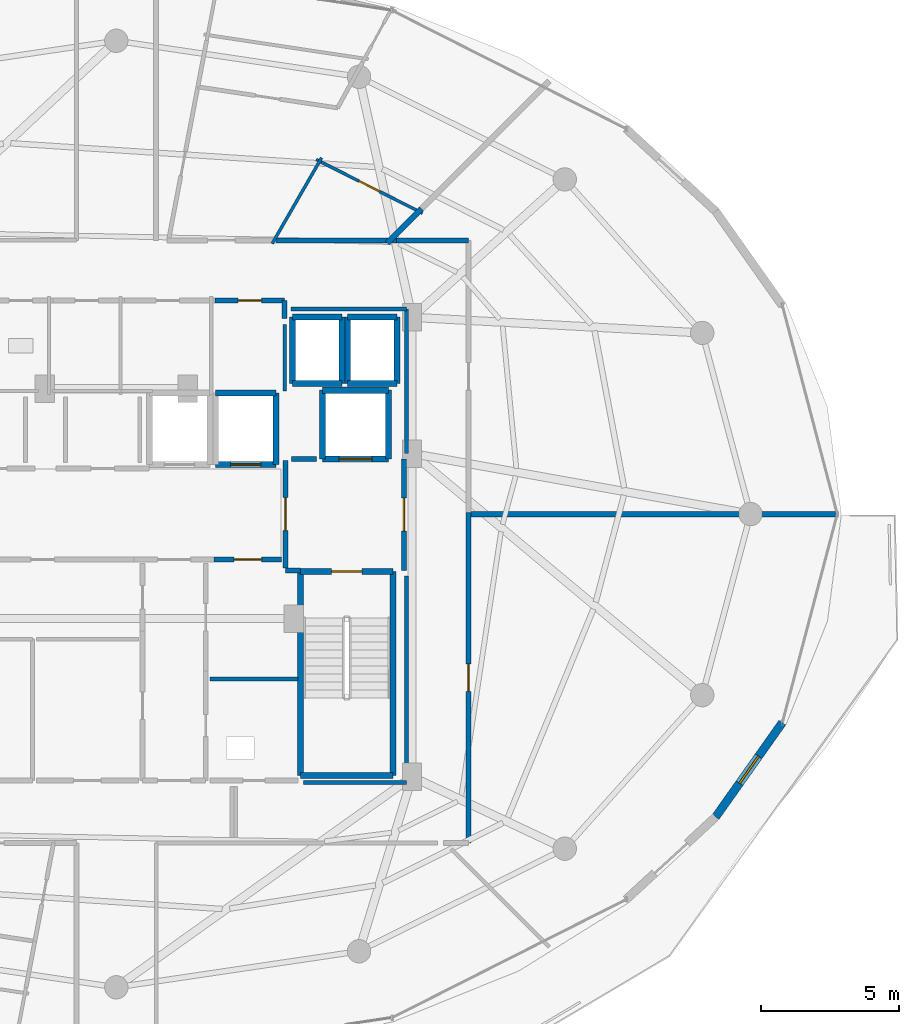
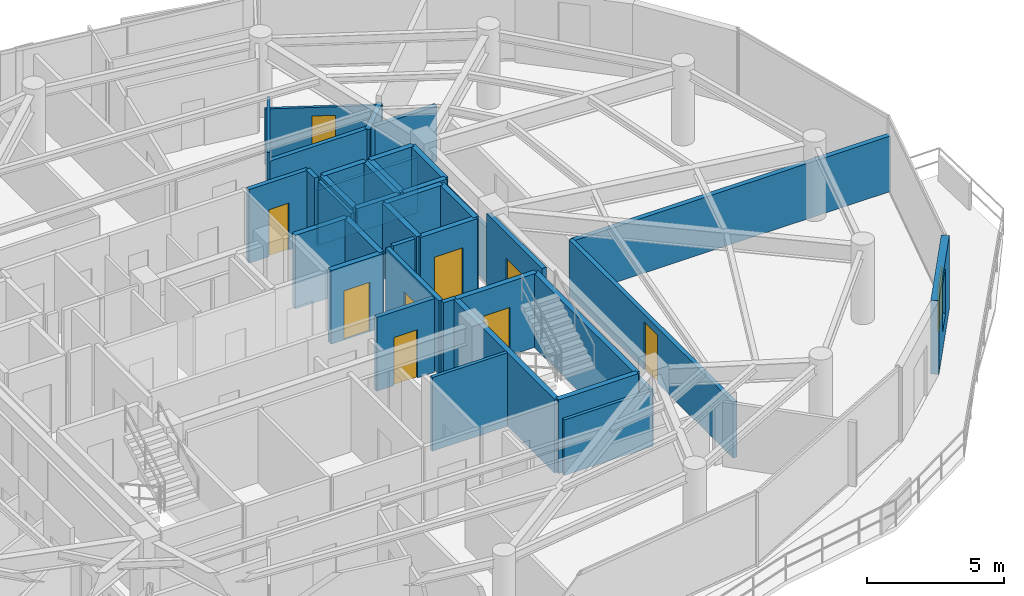
# One storey, part 24 of 29: 40 walls, 9 doors, 1 window, 10 openings.
"""IFC4 building model written with IfcOpenShell, lengths in metres."""

from ifc_helpers import new_model, si_unit, direction, frame, frame_2d, origin, place, context, subcontext, project, spatial, rectangle, extrude, material, layer, layer_set, type_object, element, fill, save


model = new_model("IFC4")

# Units and contexts
model_context = context("Model", 3, precision=1e-05, world=origin(), true_north=direction((0.0, 1.0)))
body_context = subcontext(model_context, "Body", "Model", "MODEL_VIEW")
ifc_project = project(units=[si_unit("LENGTHUNIT", "METRE"), si_unit("AREAUNIT", "SQUARE_METRE"), si_unit("VOLUMEUNIT", "CUBIC_METRE"), si_unit("PLANEANGLEUNIT", "RADIAN"), si_unit("MASSUNIT", "GRAM", prefix="KILO")], contexts=[model_context])

# Site, building, storey
site_placement = place(None, origin())
site = spatial("IfcSite", under=ifc_project, at=site_placement, CompositionType="ELEMENT")
building_placement = place(site_placement, origin())
building = spatial("IfcBuilding", under=site, at=building_placement, Name="Vorneva Point Tower", CompositionType="ELEMENT")
storey_placement = place(building_placement, frame((0.0, 0.0, 273.300048828125)))
storey = spatial("IfcBuildingStorey", under=building, at=storey_placement, Name="L74", CompositionType="ELEMENT", Elevation=273.300048828125)

# Wall, opening, door
ifc_material_1 = material(Name="Concrete B60 (C50/60)", Category="concrete")
ifc_layer_1 = layer(ifc_material_1, 0.35009765625)
ifc_layer_set_1 = layer_set([ifc_layer_1], Name="Concrete B60 (C50/60)")
wall_type_1 = type_object("IfcWallType", Name="WL-CORE-350", PredefinedType="SHEAR", material=ifc_layer_set_1)
wall_1_placement = place(storey_placement, frame((45.5, 28.0, 0.0), z_axis=(0.0, 0.0, 1.0), x_axis=(1.0, 0.0, 0.0)))
wall_1 = element("IfcWall", 1, at=wall_1_placement, inside=storey, type_object=wall_type_1, Name="L74 Lift FFL2 Shaft Wall -Y", PredefinedType="SHEAR", context=body_context, shape_type="SweptSolid", body=[
    extrude(rectangle(XDim=2.39990234375, YDim=0.219970703125, at=frame_2d((1.199951171875, 0.0))), origin(), (0.0, 0.0, 1.0), 3.2900390625),
])
opening_1_placement = place(wall_1_placement, frame((0.60009765625, 0.0, 0.0)))
opening_1 = element("IfcOpeningElement", 2, at=opening_1_placement, cuts=wall_1, Name="Opening LD-02", PredefinedType="OPENING", context=body_context, shape_type="SweptSolid", body=[
    extrude(rectangle(XDim=1.199951171875, YDim=2.199951171875, at=frame_2d((0.60009765625, 1.10009765625))), frame((0.0, 0.125, 0.0), z_axis=(0.0, -1.0, 0.0), x_axis=(1.0, 0.0, 0.0)), (0.0, 0.0, 1.0), 0.249755859375),
])
ifc_material_2 = material(Name="Brushed stainless steel S304", Category="steel")
door_type_1 = type_object("IfcDoorType", Name="LD-FIRE-1200", OperationType="SLIDING_TO_LEFT", PredefinedType="DOOR", material=ifc_material_2)
door_1_placement = place(opening_1_placement, origin())
door_1 = element("IfcDoor", 3, at=door_1_placement, inside=storey, type_object=door_type_1, Name="L74 Lift FFL2 Sliding Landing Door", OperationType="SLIDING_TO_LEFT", OverallHeight=2.199951171875, OverallWidth=1.199951171875, PredefinedType="DOOR", context=body_context, shape_type="SweptSolid", body=[
    extrude(rectangle(XDim=1.199951171875, YDim=2.199951171875, at=frame_2d((0.60009765625, 1.10009765625))), frame((0.0, 0.02490234375, 0.0), z_axis=(0.0, -1.0, 0.0), x_axis=(1.0, 0.0, 0.0)), (0.0, 0.0, 1.0), 0.050048828125),
])
fill(opening_1, door_1)

# Walls
wall_2_placement = place(storey_placement, frame((47.89990234375, 28.0, 0.0), z_axis=(0.0, 0.0, 1.0), x_axis=(0.0, 1.0, 0.0)))
element("IfcWall", 4, at=wall_2_placement, inside=storey, type_object=wall_type_1, Name="L74 Lift FFL2 Shaft Wall +X", PredefinedType="SHEAR", context=body_context, shape_type="SweptSolid", body=[
    extrude(rectangle(XDim=2.5, YDim=0.219970703125, at=frame_2d((1.25, 0.0))), origin(), (0.0, 0.0, 1.0), 3.2900390625),
])
wall_3_placement = place(storey_placement, frame((47.89990234375, 30.5, 0.0), z_axis=(0.0, 0.0, 1.0), x_axis=(-1.0, 0.0, 0.0)))
element("IfcWall", 5, at=wall_3_placement, inside=storey, type_object=wall_type_1, Name="L74 Lift FFL2 Shaft Wall +Y", PredefinedType="SHEAR", context=body_context, shape_type="SweptSolid", body=[
    extrude(rectangle(XDim=2.39990234375, YDim=0.219970703125, at=frame_2d((1.199951171875, 0.0))), origin(), (0.0, 0.0, 1.0), 3.2900390625),
])
wall_4_placement = place(storey_placement, frame((45.5, 30.5, 0.0), z_axis=(0.0, 0.0, 1.0), x_axis=(0.0, -1.0, 0.0)))
element("IfcWall", 6, at=wall_4_placement, inside=storey, type_object=wall_type_1, Name="L74 Lift FFL2 Shaft Wall -X", PredefinedType="SHEAR", context=body_context, shape_type="SweptSolid", body=[
    extrude(rectangle(XDim=2.5, YDim=0.219970703125, at=frame_2d((1.25, 0.0))), origin(), (0.0, 0.0, 1.0), 3.2900390625),
])

# Wall, opening, window
ifc_material_3 = material(Name="Precast concrete B50 (C40/50)", Category="concrete")
ifc_layer_2 = layer(ifc_material_3, 0.300048828125)
ifc_layer_set_2 = layer_set([ifc_layer_2], Name="Precast concrete B50 (C40/50)")
wall_type_2 = type_object("IfcWallType", Name="WL-EXT-300", PredefinedType="STANDARD", material=ifc_layer_set_2)
wall_5_placement = place(storey_placement, frame((59.784423828125, 14.994140625, 0.0), z_axis=(0.0, 0.0, 1.0), x_axis=(0.577261247247, 0.816559521668, 0.0)))
wall_5 = element("IfcWall", 7, at=wall_5_placement, inside=storey, type_object=wall_type_2, Name="L74 Pale-Metal Facade Spandrel Wall 15.2", PredefinedType="STANDARD", context=body_context, shape_type="SweptSolid", body=[
    extrude(rectangle(XDim=4.194091796875, YDim=0.300048828125, at=frame_2d((2.09716796875, 0.0))), origin(), (0.0, 0.0, 1.0), 3.2900390625),
])
opening_2_placement = place(wall_5_placement, frame((1.4970703125, 0.0, 0.85009765625)))
opening_2 = element("IfcOpeningElement", 8, at=opening_2_placement, cuts=wall_5, Name="Opening W-04", PredefinedType="OPENING", context=body_context, shape_type="SweptSolid", body=[
    extrude(rectangle(XDim=1.199951171875, YDim=2.10009765625, at=frame_2d((0.60009765625, 1.050048828125))), frame((0.0, 0.1650390625, 0.0), z_axis=(0.0, -1.0, 0.0), x_axis=(1.0, 0.0, 0.0)), (0.0, 0.0, 1.0), 0.329833984375),
])
ifc_material_4 = material(Name="Double low-e laminated glass IGU", Category="glass")
window_type = type_object("IfcWindowType", Name="WN-RES-1200", PartitioningType="SINGLE_PANEL", PredefinedType="WINDOW", material=ifc_material_4)
window_placement = place(opening_2_placement, origin())
window = element("IfcWindow", 9, at=window_placement, inside=storey, type_object=window_type, Name="L74 Facade Window 15", OverallHeight=2.10009765625, OverallWidth=1.199951171875, PartitioningType="SINGLE_PANEL", PredefinedType="WINDOW", context=body_context, shape_type="SweptSolid", body=[
    extrude(rectangle(XDim=1.199951171875, YDim=2.10009765625, at=frame_2d((0.60009765625, 1.050048828125))), frame((0.0, 0.030029296875, 0.0), z_axis=(0.0, -1.0, 0.0), x_axis=(1.0, 0.0, 0.0)), (0.0, 0.0, 1.0), 0.06005859375),
])
fill(opening_2, window)

# Wall
ifc_material_5 = material(Name="Fire-rated acoustic gypsum stud partition", Category="gypsum")
ifc_layer_3 = layer(ifc_material_5, 0.110107421875)
ifc_layer_set_3 = layer_set([ifc_layer_3], Name="Fire-rated acoustic gypsum stud partition")
wall_type_3 = type_object("IfcWallType", Name="WL-PART-110", PredefinedType="PARTITIONING", material=ifc_layer_set_3)
wall_6_placement = place(storey_placement, frame((43.6640625, 35.82861328125, 0.0), z_axis=(0.0, 0.0, 1.0), x_axis=(0.49917767271, 0.866499654396, 0.0)))
element("IfcWall", 10, at=wall_6_placement, inside=storey, type_object=wall_type_3, Name="L74 Interior Partition 063", PredefinedType="PARTITIONING", context=body_context, shape_type="SweptSolid", body=[
    extrude(rectangle(XDim=3.595703125, YDim=0.110107421875, at=frame_2d((1.7978515625, 0.0))), origin(), (0.0, 0.0, 1.0), 2.924072265625),
])

# Wall, opening, door
wall_7_placement = place(storey_placement, frame((45.263916015625, 38.885986328125, 0.0), z_axis=(0.0, 0.0, 1.0), x_axis=(0.892556527512, -0.450935522216, 0.0)))
wall_7 = element("IfcWall", 11, at=wall_7_placement, inside=storey, type_object=wall_type_3, Name="L74 Interior Partition 064", PredefinedType="PARTITIONING", context=body_context, shape_type="SweptSolid", body=[
    extrude(rectangle(XDim=4.32470703125, YDim=0.110107421875, at=frame_2d((2.162353515625, 0.0))), origin(), (0.0, 0.0, 1.0), 2.48193359375),
])
opening_3_placement = place(wall_7_placement, frame((1.7373046875, 0.0, 0.0)))
opening_3 = element("IfcOpeningElement", 12, at=opening_3_placement, cuts=wall_7, Name="Opening ID-02", PredefinedType="OPENING", context=body_context, shape_type="SweptSolid", body=[
    extrude(rectangle(XDim=0.85009765625, YDim=2.10009765625, at=frame_2d((0.425048828125, 1.050048828125))), frame((0.0, 0.06982421875, 0.0), z_axis=(0.0, -1.0, 0.0), x_axis=(1.0, 0.0, 0.0)), (0.0, 0.0, 1.0), 0.139892578125),
])
ifc_material_6 = material(Name="Engineered oak fire-rated door leaf", Category="wood")
door_type_2 = type_object("IfcDoorType", Name="DR-BATH-850", OperationType="NOTDEFINED", PredefinedType="DOOR", material=ifc_material_6)
door_2_placement = place(opening_3_placement, origin())
door_2 = element("IfcDoor", 13, at=door_2_placement, inside=storey, type_object=door_type_2, Name="L74 Door Living and Dining Room L74-01 / Bathroom L74-01", OperationType="SINGLE_SWING_RIGHT", OverallHeight=2.10009765625, OverallWidth=0.85009765625, PredefinedType="DOOR", context=body_context, shape_type="SweptSolid", body=[
    extrude(rectangle(XDim=0.85009765625, YDim=2.10009765625, at=frame_2d((0.425048828125, 1.050048828125))), frame((0.0, 0.02490234375, 0.0), z_axis=(0.0, -1.0, 0.0), x_axis=(1.0, 0.0, 0.0)), (0.0, 0.0, 1.0), 0.050048828125),
])
fill(opening_3, door_2)

# Walls
ifc_layer_4 = layer(ifc_material_5, 0.139892578125)
ifc_layer_set_4 = layer_set([ifc_layer_4], Name="Fire-rated acoustic gypsum stud partition")
wall_type_4 = type_object("IfcWallType", Name="WL-PART-140", PredefinedType="PARTITIONING", material=ifc_layer_set_4)
wall_8_placement = place(storey_placement, frame((44.60009765625, 20.0, 0.0), z_axis=(0.0, 0.0, 1.0), x_axis=(-1.0, 0.0, 0.0)))
element("IfcWall", 14, at=wall_8_placement, inside=storey, type_object=wall_type_4, Name="L74 Interior Partition 020", PredefinedType="PARTITIONING", context=body_context, shape_type="SweptSolid", body=[
    extrude(rectangle(XDim=3.2001953125, YDim=0.139892578125, at=frame_2d((1.60009765625, 0.0))), origin(), (0.0, 0.0, 1.0), 3.2900390625),
])
wall_9_placement = place(storey_placement, frame((44.1201171875, 30.47998046875, 0.0), z_axis=(0.0, 0.0, 1.0), x_axis=(0.0, 1.0, 0.0)))
element("IfcWall", 15, at=wall_9_placement, inside=storey, type_object=wall_type_4, Name="L74 Interior Closure Partition 112", PredefinedType="PARTITIONING", context=body_context, shape_type="SweptSolid", body=[
    extrude(rectangle(XDim=2.409912109375, YDim=0.139892578125, at=frame_2d((1.205078125, 0.0))), origin(), (0.0, 0.0, 1.0), 3.2900390625),
])
wall_10_placement = place(storey_placement, frame((44.804931640625, 16.239990234375, 0.0), z_axis=(0.0, 0.0, 1.0), x_axis=(1.0, 0.0, 0.0)))
element("IfcWall", 16, at=wall_10_placement, inside=storey, type_object=wall_type_4, Name="L74 Interior Closure Partition 122", PredefinedType="PARTITIONING", context=body_context, shape_type="SweptSolid", body=[
    extrude(rectangle(XDim=3.7451171875, YDim=0.139892578125, at=frame_2d((1.87255859375, 0.0))), origin(), (0.0, 0.0, 1.0), 2.48193359375),
])
wall_11_placement = place(storey_placement, frame((48.550048828125, 16.239990234375, 0.0), z_axis=(0.0, 0.0, 1.0), x_axis=(0.0, 1.0, 0.0)))
element("IfcWall", 17, at=wall_11_placement, inside=storey, type_object=wall_type_4, Name="L74 Interior Closure Partition 123", PredefinedType="PARTITIONING", context=body_context, shape_type="SweptSolid", body=[
    extrude(rectangle(XDim=7.513916015625, YDim=0.139892578125, at=frame_2d((3.7568359375, 0.0))), origin(), (0.0, 0.0, 1.0), 2.48193359375),
])
wall_12_placement = place(storey_placement, frame((48.550048828125, 28.196044921875, 0.0), z_axis=(0.0, 0.0, 1.0), x_axis=(0.0, 1.0, 0.0)))
element("IfcWall", 18, at=wall_12_placement, inside=storey, type_object=wall_type_4, Name="L74 Interior Closure Partition 124", PredefinedType="PARTITIONING", context=body_context, shape_type="SweptSolid", body=[
    extrude(rectangle(XDim=5.25390625, YDim=0.139892578125, at=frame_2d((2.626953125, 0.0))), origin(), (0.0, 0.0, 1.0), 2.48193359375),
])
wall_13_placement = place(storey_placement, frame((48.550048828125, 33.449951171875, 0.0), z_axis=(0.0, 0.0, 1.0), x_axis=(-1.0, 0.0, 0.0)))
element("IfcWall", 19, at=wall_13_placement, inside=storey, type_object=wall_type_4, Name="L74 Interior Closure Partition 125", PredefinedType="PARTITIONING", context=body_context, shape_type="SweptSolid", body=[
    extrude(rectangle(XDim=4.2099609375, YDim=0.139892578125, at=frame_2d((2.10498046875, 0.0))), origin(), (0.0, 0.0, 1.0), 2.48193359375),
])

# Wall, opening, door
ifc_material_7 = material(Name="Autoclaved aerated concrete blockwork", Category="masonry")
ifc_layer_5 = layer(ifc_material_7, 0.179931640625)
ifc_layer_set_5 = layer_set([ifc_layer_5], Name="Autoclaved aerated concrete blockwork")
wall_type_5 = type_object("IfcWallType", Name="WL-PART-180", PredefinedType="PARTITIONING", material=ifc_layer_set_5)
wall_14_placement = place(storey_placement, frame((44.14990234375, 27.955078125, 0.0), z_axis=(0.0, 0.0, 1.0), x_axis=(0.0, -1.0, 0.0)))
wall_14 = element("IfcWall", 20, at=wall_14_placement, inside=storey, type_object=wall_type_5, Name="L74 Interior Partition 003", PredefinedType="PARTITIONING", context=body_context, shape_type="SweptSolid", body=[
    extrude(rectangle(XDim=3.91015625, YDim=0.179931640625, at=frame_2d((1.955078125, 0.0))), origin(), (0.0, 0.0, 1.0), 3.2900390625),
])
opening_4_placement = place(wall_14_placement, frame((1.35498046875, 0.0, 0.0)))
opening_4 = element("IfcOpeningElement", 21, at=opening_4_placement, cuts=wall_14, Name="Opening FD-02", PredefinedType="OPENING", context=body_context, shape_type="SweptSolid", body=[
    extrude(rectangle(XDim=1.199951171875, YDim=2.14990234375, at=frame_2d((0.60009765625, 1.074951171875))), frame((0.0, 0.10498046875, 0.0), z_axis=(0.0, -1.0, 0.0), x_axis=(1.0, 0.0, 0.0)), (0.0, 0.0, 1.0), 0.209716796875),
])
ifc_material_8 = material(Name="Fire-rated powder-coated steel", Category="steel")
door_type_3 = type_object("IfcDoorType", Name="DR-FFL-1200", OperationType="NOTDEFINED", PredefinedType="DOOR", material=ifc_material_8)
door_3_placement = place(opening_4_placement, origin())
door_3 = element("IfcDoor", 22, at=door_3_placement, inside=storey, type_object=door_type_3, Name="L74 Door East Firefighting Lobby / Central Lift Lobby", OperationType="SINGLE_SWING_LEFT", OverallHeight=2.14990234375, OverallWidth=1.199951171875, PredefinedType="DOOR", context=body_context, shape_type="SweptSolid", body=[
    extrude(rectangle(XDim=1.199951171875, YDim=2.14990234375, at=frame_2d((0.60009765625, 1.074951171875))), frame((0.0, 0.02490234375, 0.0), z_axis=(0.0, -1.0, 0.0), x_axis=(1.0, 0.0, 0.0)), (0.0, 0.0, 1.0), 0.050048828125),
])
fill(opening_4, door_3)

# Wall
wall_15_placement = place(storey_placement, frame((44.14990234375, 23.949951171875, 0.0), z_axis=(0.0, 0.0, 1.0), x_axis=(1.0, 0.0, 0.0)))
element("IfcWall", 23, at=wall_15_placement, inside=storey, type_object=wall_type_5, Name="L74 Interior Partition 004", PredefinedType="PARTITIONING", context=body_context, shape_type="SweptSolid", body=[
    extrude(rectangle(XDim=0.5400390625, YDim=0.179931640625, at=frame_2d((0.27001953125, 0.0))), origin(), (0.0, 0.0, 1.0), 3.2900390625),
])

# Wall, opening, door
wall_16_placement = place(storey_placement, frame((48.449951171875, 23.949951171875, 0.0), z_axis=(0.0, 0.0, 1.0), x_axis=(0.0, 1.0, 0.0)))
wall_16 = element("IfcWall", 24, at=wall_16_placement, inside=storey, type_object=wall_type_5, Name="L74 Interior Partition 005", PredefinedType="PARTITIONING", context=body_context, shape_type="SweptSolid", body=[
    extrude(rectangle(XDim=4.050048828125, YDim=0.179931640625, at=frame_2d((2.02490234375, 0.0))), origin(), (0.0, 0.0, 1.0), 3.2900390625),
])
opening_5_placement = place(wall_16_placement, frame((1.425048828125, 0.0, 0.0)))
opening_5 = element("IfcOpeningElement", 25, at=opening_5_placement, cuts=wall_16, Name="Opening FD-02", PredefinedType="OPENING", context=body_context, shape_type="SweptSolid", body=[
    extrude(rectangle(XDim=1.199951171875, YDim=2.14990234375, at=frame_2d((0.60009765625, 1.074951171875))), frame((0.0, 0.10498046875, 0.0), z_axis=(0.0, -1.0, 0.0), x_axis=(1.0, 0.0, 0.0)), (0.0, 0.0, 1.0), 0.209716796875),
])
door_4_placement = place(opening_5_placement, origin())
door_4 = element("IfcDoor", 26, at=door_4_placement, inside=storey, type_object=door_type_3, Name="L74 Door East Firefighting Lobby / L74 Circulation Corridor", OperationType="SINGLE_SWING_LEFT", OverallHeight=2.14990234375, OverallWidth=1.199951171875, PredefinedType="DOOR", context=body_context, shape_type="SweptSolid", body=[
    extrude(rectangle(XDim=1.199951171875, YDim=2.14990234375, at=frame_2d((0.60009765625, 1.074951171875))), frame((0.0, 0.02490234375, 0.0), z_axis=(0.0, -1.0, 0.0), x_axis=(1.0, 0.0, 0.0)), (0.0, 0.0, 1.0), 0.050048828125),
])
fill(opening_5, door_4)

wall_17_placement = place(storey_placement, frame((41.554931640625, 24.35009765625, 0.0), z_axis=(0.0, 0.0, 1.0), x_axis=(1.0, 0.0, 0.0)))
wall_17 = element("IfcWall", 27, at=wall_17_placement, inside=storey, type_object=wall_type_5, Name="L74 Interior Partition 011", PredefinedType="PARTITIONING", context=body_context, shape_type="SweptSolid", body=[
    extrude(rectangle(XDim=2.445068359375, YDim=0.179931640625, at=frame_2d((1.22265625, 0.0))), origin(), (0.0, 0.0, 1.0), 3.2900390625),
])
opening_6_placement = place(wall_17_placement, frame((0.722412109375, 0.0, 0.0)))
opening_6 = element("IfcOpeningElement", 28, at=opening_6_placement, cuts=wall_17, Name="Opening UD-01", PredefinedType="OPENING", context=body_context, shape_type="SweptSolid", body=[
    extrude(rectangle(XDim=1.0, YDim=2.14990234375, at=frame_2d((0.5, 1.074951171875))), frame((0.0, 0.10498046875, 0.0), z_axis=(0.0, -1.0, 0.0), x_axis=(1.0, 0.0, 0.0)), (0.0, 0.0, 1.0), 0.209716796875),
])
door_type_4 = type_object("IfcDoorType", Name="DR-UNIT-1000", OperationType="NOTDEFINED", PredefinedType="DOOR", material=ifc_material_6)
door_5_placement = place(opening_6_placement, origin())
door_5 = element("IfcDoor", 29, at=door_5_placement, inside=storey, type_object=door_type_4, Name="L74 Door Central Lift Lobby / Floor Management Office", OperationType="SINGLE_SWING_LEFT", OverallHeight=2.14990234375, OverallWidth=1.0, PredefinedType="DOOR", context=body_context, shape_type="SweptSolid", body=[
    extrude(rectangle(XDim=1.0, YDim=2.14990234375, at=frame_2d((0.5, 1.074951171875))), frame((0.0, 0.02490234375, 0.0), z_axis=(0.0, -1.0, 0.0), x_axis=(1.0, 0.0, 0.0)), (0.0, 0.0, 1.0), 0.050048828125),
])
fill(opening_6, door_5)

wall_18_placement = place(storey_placement, frame((44.1201171875, 33.760009765625, 0.0), z_axis=(0.0, 0.0, 1.0), x_axis=(-1.0, 0.0, 0.0)))
wall_18 = element("IfcWall", 30, at=wall_18_placement, inside=storey, type_object=wall_type_5, Name="L74 Interior Partition 031", PredefinedType="PARTITIONING", context=body_context, shape_type="SweptSolid", body=[
    extrude(rectangle(XDim=2.530029296875, YDim=0.179931640625, at=frame_2d((1.26513671875, 0.0))), origin(), (0.0, 0.0, 1.0), 3.2900390625),
])
opening_7_placement = place(wall_18_placement, frame((0.840087890625, 0.0, 0.0)))
opening_7 = element("IfcOpeningElement", 31, at=opening_7_placement, cuts=wall_18, Name="Opening ID-02", PredefinedType="OPENING", context=body_context, shape_type="SweptSolid", body=[
    extrude(rectangle(XDim=0.85009765625, YDim=2.10009765625, at=frame_2d((0.425048828125, 1.050048828125))), frame((0.0, 0.10498046875, 0.0), z_axis=(0.0, -1.0, 0.0), x_axis=(1.0, 0.0, 0.0)), (0.0, 0.0, 1.0), 0.209716796875),
])
door_6_placement = place(opening_7_placement, origin())
door_6 = element("IfcDoor", 32, at=door_6_placement, inside=storey, type_object=door_type_2, Name="L74 Door Cleaners Store / L74 Circulation Corridor", OperationType="SINGLE_SWING_RIGHT", OverallHeight=2.10009765625, OverallWidth=0.85009765625, PredefinedType="DOOR", context=body_context, shape_type="SweptSolid", body=[
    extrude(rectangle(XDim=0.85009765625, YDim=2.10009765625, at=frame_2d((0.425048828125, 1.050048828125))), frame((0.0, 0.02490234375, 0.0), z_axis=(0.0, -1.0, 0.0), x_axis=(1.0, 0.0, 0.0)), (0.0, 0.0, 1.0), 0.050048828125),
])
fill(opening_7, door_6)

# Walls
wall_19_placement = place(storey_placement, frame((44.1201171875, 33.110107421875, 0.0), z_axis=(0.0, 0.0, 1.0), x_axis=(0.0, 1.0, 0.0)))
element("IfcWall", 33, at=wall_19_placement, inside=storey, type_object=wall_type_5, Name="L74 Interior Partition 032", PredefinedType="PARTITIONING", context=body_context, shape_type="SweptSolid", body=[
    extrude(rectangle(XDim=0.64990234375, YDim=0.179931640625, at=frame_2d((0.324951171875, 0.0))), origin(), (0.0, 0.0, 1.0), 3.2900390625),
])
wall_20_placement = place(storey_placement, frame((48.175048828125, 35.949951171875, 0.0), z_axis=(0.0, 0.0, 1.0), x_axis=(-1.0, 0.0, 0.0)))
element("IfcWall", 34, at=wall_20_placement, inside=storey, type_object=wall_type_5, Name="L74 Interior Partition 039", PredefinedType="PARTITIONING", context=body_context, shape_type="SweptSolid", body=[
    extrude(rectangle(XDim=4.511962890625, YDim=0.179931640625, at=frame_2d((2.255859375, 0.0))), origin(), (0.0, 0.0, 1.0), 2.48193359375),
])

# Wall, opening, door
wall_21_placement = place(storey_placement, frame((50.800048828125, 14.050048828125, 0.0), z_axis=(0.0, 0.0, 1.0), x_axis=(0.0, 1.0, 0.0)))
wall_21 = element("IfcWall", 35, at=wall_21_placement, inside=storey, type_object=wall_type_5, Name="L74 Interior Partition 060", PredefinedType="PARTITIONING", context=body_context, shape_type="SweptSolid", body=[
    extrude(rectangle(XDim=12.010009765625, YDim=0.179931640625, at=frame_2d((6.0048828125, 0.0))), origin(), (0.0, 0.0, 1.0), 2.48193359375),
])
opening_8_placement = place(wall_21_placement, frame((5.5048828125, 0.0, 0.0)))
opening_8 = element("IfcOpeningElement", 36, at=opening_8_placement, cuts=wall_21, Name="Opening UD-01", PredefinedType="OPENING", context=body_context, shape_type="SweptSolid", body=[
    extrude(rectangle(XDim=1.0, YDim=2.14990234375, at=frame_2d((0.5, 1.074951171875))), frame((0.0, 0.10498046875, 0.0), z_axis=(0.0, -1.0, 0.0), x_axis=(1.0, 0.0, 0.0)), (0.0, 0.0, 1.0), 0.209716796875),
])
door_7_placement = place(opening_8_placement, origin())
door_7 = element("IfcDoor", 37, at=door_7_placement, inside=storey, type_object=door_type_4, Name="L74 Door L74 Circulation Corridor / Residents Co-Working Office L74-04", OperationType="SINGLE_SWING_RIGHT", OverallHeight=2.14990234375, OverallWidth=1.0, PredefinedType="DOOR", context=body_context, shape_type="SweptSolid", body=[
    extrude(rectangle(XDim=1.0, YDim=2.14990234375, at=frame_2d((0.5, 1.074951171875))), frame((0.0, 0.02490234375, 0.0), z_axis=(0.0, -1.0, 0.0), x_axis=(1.0, 0.0, 0.0)), (0.0, 0.0, 1.0), 0.050048828125),
])
fill(opening_8, door_7)

# Walls
wall_22_placement = place(storey_placement, frame((50.800048828125, 35.949951171875, 0.0), z_axis=(0.0, 0.0, 1.0), x_axis=(-1.0, 0.0, 0.0)))
element("IfcWall", 38, at=wall_22_placement, inside=storey, type_object=wall_type_5, Name="L74 Interior Partition 062", PredefinedType="PARTITIONING", context=body_context, shape_type="SweptSolid", body=[
    extrude(rectangle(XDim=2.625, YDim=0.179931640625, at=frame_2d((1.3125, 0.0))), origin(), (0.0, 0.0, 1.0), 2.48193359375),
])
wall_23_placement = place(storey_placement, frame((45.280029296875, 28.0, 0.0), z_axis=(0.0, 0.0, 1.0), x_axis=(-1.0, 0.0, 0.0)))
element("IfcWall", 39, at=wall_23_placement, inside=storey, type_object=wall_type_5, Name="L74 Interior Closure Partition 110", PredefinedType="PARTITIONING", context=body_context, shape_type="SweptSolid", body=[
    extrude(rectangle(XDim=0.9150390625, YDim=0.179931640625, at=frame_2d((0.45751953125, 0.0))), origin(), (0.0, 0.0, 1.0), 3.2900390625),
])
ifc_layer_6 = layer(ifc_material_7, 0.199951171875)
ifc_layer_set_6 = layer_set([ifc_layer_6], Name="Autoclaved aerated concrete blockwork")
wall_type_6 = type_object("IfcWallType", Name="WL-PART-200", PredefinedType="PARTITIONING", material=ifc_layer_set_6)
wall_24_placement = place(storey_placement, frame((47.85107421875, 35.85107421875, 0.0), z_axis=(0.0, 0.0, 1.0), x_axis=(0.707106781187, 0.707106781187, 0.0)))
element("IfcWall", 40, at=wall_24_placement, inside=storey, type_object=wall_type_6, Name="L74 Interior Partition 073", PredefinedType="PARTITIONING", context=body_context, shape_type="SweptSolid", body=[
    extrude(rectangle(XDim=1.76318359375, YDim=0.199951171875, at=frame_2d((0.881591796875, 0.0))), origin(), (0.0, 0.0, 1.0), 2.48193359375),
])
wall_25_placement = place(storey_placement, frame((64.198974609375, 26.0, 0.0), z_axis=(0.0, 0.0, 1.0), x_axis=(-1.0, 0.0, 0.0)))
element("IfcWall", 41, at=wall_25_placement, inside=storey, type_object=wall_type_6, Name="L74 Interior Partition 108", PredefinedType="PARTITIONING", context=body_context, shape_type="SweptSolid", body=[
    extrude(rectangle(XDim=13.39892578125, YDim=0.199951171875, at=frame_2d((6.699462890625, 0.0))), origin(), (0.0, 0.0, 1.0), 2.48193359375),
])

# Wall, opening, door
ifc_material_9 = material(Name="Concrete B50 (C40/50)", Category="concrete")
ifc_layer_7 = layer(ifc_material_9, 0.219970703125)
ifc_layer_set_7 = layer_set([ifc_layer_7], Name="Concrete B50 (C40/50)")
wall_type_7 = type_object("IfcWallType", Name="WL-SHFT-220", PredefinedType="SOLIDWALL", material=ifc_layer_set_7)
wall_26_placement = place(storey_placement, frame((44.68994140625, 23.909912109375, 0.0), z_axis=(0.0, 0.0, 1.0), x_axis=(1.0, 0.0, 0.0)))
wall_26 = element("IfcWall", 42, at=wall_26_placement, inside=storey, type_object=wall_type_7, Name="L74 Exit Stair ST2 Shaft Wall near", PredefinedType="SOLIDWALL", context=body_context, shape_type="SweptSolid", body=[
    extrude(rectangle(XDim=3.3701171875, YDim=0.219970703125, at=frame_2d((1.68505859375, 0.0))), origin(), (0.0, 0.0, 1.0), 3.2900390625),
])
opening_9_placement = place(wall_26_placement, frame((1.135009765625, 0.0, 0.0)))
opening_9 = element("IfcOpeningElement", 43, at=opening_9_placement, cuts=wall_26, Name="Opening FD-01", PredefinedType="OPENING", context=body_context, shape_type="SweptSolid", body=[
    extrude(rectangle(XDim=1.10009765625, YDim=2.14990234375, at=frame_2d((0.550048828125, 1.074951171875))), frame((0.0, 0.125, 0.0), z_axis=(0.0, -1.0, 0.0), x_axis=(1.0, 0.0, 0.0)), (0.0, 0.0, 1.0), 0.249755859375),
])
door_type_5 = type_object("IfcDoorType", Name="DR-STAIR-1100", OperationType="NOTDEFINED", PredefinedType="DOOR", material=ifc_material_8)
door_8_placement = place(opening_9_placement, origin())
door_8 = element("IfcDoor", 44, at=door_8_placement, inside=storey, type_object=door_type_5, Name="L74 Exit Stair ST2 Fire Door", OperationType="SINGLE_SWING_LEFT", OverallHeight=2.14990234375, OverallWidth=1.10009765625, PredefinedType="DOOR", context=body_context, shape_type="SweptSolid", body=[
    extrude(rectangle(XDim=1.10009765625, YDim=2.14990234375, at=frame_2d((0.550048828125, 1.074951171875))), frame((0.0, 0.02490234375, 0.0), z_axis=(0.0, -1.0, 0.0), x_axis=(1.0, 0.0, 0.0)), (0.0, 0.0, 1.0), 0.050048828125),
])
fill(opening_9, door_8)

# Walls
wall_27_placement = place(storey_placement, frame((48.06005859375, 23.909912109375, 0.0), z_axis=(0.0, 0.0, 1.0), x_axis=(0.0, -1.0, 0.0)))
element("IfcWall", 45, at=wall_27_placement, inside=storey, type_object=wall_type_7, Name="L74 Exit Stair ST2 Shaft Wall right", PredefinedType="SOLIDWALL", context=body_context, shape_type="SweptSolid", body=[
    extrude(rectangle(XDim=7.419921875, YDim=0.219970703125, at=frame_2d((3.7099609375, 0.0))), origin(), (0.0, 0.0, 1.0), 3.2900390625),
])
wall_28_placement = place(storey_placement, frame((48.06005859375, 16.489990234375, 0.0), z_axis=(0.0, 0.0, 1.0), x_axis=(-1.0, 0.0, 0.0)))
element("IfcWall", 46, at=wall_28_placement, inside=storey, type_object=wall_type_7, Name="L74 Exit Stair ST2 Shaft Wall far", PredefinedType="SOLIDWALL", context=body_context, shape_type="SweptSolid", body=[
    extrude(rectangle(XDim=3.3701171875, YDim=0.219970703125, at=frame_2d((1.68505859375, 0.0))), origin(), (0.0, 0.0, 1.0), 3.2900390625),
])
wall_29_placement = place(storey_placement, frame((44.68994140625, 16.489990234375, 0.0), z_axis=(0.0, 0.0, 1.0), x_axis=(0.0, 1.0, 0.0)))
element("IfcWall", 47, at=wall_29_placement, inside=storey, type_object=wall_type_7, Name="L74 Exit Stair ST2 Shaft Wall left", PredefinedType="SOLIDWALL", context=body_context, shape_type="SweptSolid", body=[
    extrude(rectangle(XDim=7.419921875, YDim=0.219970703125, at=frame_2d((3.7099609375, 0.0))), origin(), (0.0, 0.0, 1.0), 3.2900390625),
])

# Wall, opening, door
wall_30_placement = place(storey_placement, frame((41.60009765625, 27.800048828125, 0.0), z_axis=(0.0, 0.0, 1.0), x_axis=(1.0, 0.0, 0.0)))
wall_30 = element("IfcWall", 48, at=wall_30_placement, inside=storey, type_object=wall_type_7, Name="L74 Lift PL8 Shaft Wall -Y", PredefinedType="SOLIDWALL", context=body_context, shape_type="SweptSolid", body=[
    extrude(rectangle(XDim=2.199951171875, YDim=0.219970703125, at=frame_2d((1.10009765625, 0.0))), origin(), (0.0, 0.0, 1.0), 3.2900390625),
])
opening_10_placement = place(wall_30_placement, frame((0.550048828125, 0.0, 0.0)))
opening_10 = element("IfcOpeningElement", 49, at=opening_10_placement, cuts=wall_30, Name="Opening LD-01", PredefinedType="OPENING", context=body_context, shape_type="SweptSolid", body=[
    extrude(rectangle(XDim=1.10009765625, YDim=2.199951171875, at=frame_2d((0.550048828125, 1.10009765625))), frame((0.0, 0.125, 0.0), z_axis=(0.0, -1.0, 0.0), x_axis=(1.0, 0.0, 0.0)), (0.0, 0.0, 1.0), 0.249755859375),
])
door_type_6 = type_object("IfcDoorType", Name="LD-PASS-1100", OperationType="SLIDING_TO_LEFT", PredefinedType="DOOR", material=ifc_material_2)
door_9_placement = place(opening_10_placement, origin())
door_9 = element("IfcDoor", 50, at=door_9_placement, inside=storey, type_object=door_type_6, Name="L74 Lift PL8 Sliding Landing Door", OperationType="SLIDING_TO_LEFT", OverallHeight=2.199951171875, OverallWidth=1.10009765625, PredefinedType="DOOR", context=body_context, shape_type="SweptSolid", body=[
    extrude(rectangle(XDim=1.10009765625, YDim=2.199951171875, at=frame_2d((0.550048828125, 1.10009765625))), frame((0.0, 0.02490234375, 0.0), z_axis=(0.0, -1.0, 0.0), x_axis=(1.0, 0.0, 0.0)), (0.0, 0.0, 1.0), 0.050048828125),
])
fill(opening_10, door_9)

# Walls
wall_31_placement = place(storey_placement, frame((43.800048828125, 27.800048828125, 0.0), z_axis=(0.0, 0.0, 1.0), x_axis=(0.0, 1.0, 0.0)))
element("IfcWall", 51, at=wall_31_placement, inside=storey, type_object=wall_type_7, Name="L74 Lift PL8 Shaft Wall +X", PredefinedType="SOLIDWALL", context=body_context, shape_type="SweptSolid", body=[
    extrude(rectangle(XDim=2.599853515625, YDim=0.219970703125, at=frame_2d((1.2998046875, 0.0))), origin(), (0.0, 0.0, 1.0), 3.2900390625),
])
wall_32_placement = place(storey_placement, frame((43.800048828125, 30.39990234375, 0.0), z_axis=(0.0, 0.0, 1.0), x_axis=(-1.0, 0.0, 0.0)))
element("IfcWall", 52, at=wall_32_placement, inside=storey, type_object=wall_type_7, Name="L74 Lift PL8 Shaft Wall +Y", PredefinedType="SOLIDWALL", context=body_context, shape_type="SweptSolid", body=[
    extrude(rectangle(XDim=2.199951171875, YDim=0.219970703125, at=frame_2d((1.10009765625, 0.0))), origin(), (0.0, 0.0, 1.0), 3.2900390625),
])
wall_33_placement = place(storey_placement, frame((44.39990234375, 30.739990234375, 0.0), z_axis=(0.0, 0.0, 1.0), x_axis=(1.0, 0.0, 0.0)))
element("IfcWall", 53, at=wall_33_placement, inside=storey, type_object=wall_type_7, Name="L74 Lift EX1 Shaft Wall -Y", PredefinedType="SOLIDWALL", context=body_context, shape_type="SweptSolid", body=[
    extrude(rectangle(XDim=1.800048828125, YDim=0.219970703125, at=frame_2d((0.89990234375, 0.0))), origin(), (0.0, 0.0, 1.0), 3.2900390625),
])
wall_34_placement = place(storey_placement, frame((46.199951171875, 30.739990234375, 0.0), z_axis=(0.0, 0.0, 1.0), x_axis=(0.0, 1.0, 0.0)))
element("IfcWall", 54, at=wall_34_placement, inside=storey, type_object=wall_type_7, Name="L74 Lift EX1 Shaft Wall +X", PredefinedType="SOLIDWALL", context=body_context, shape_type="SweptSolid", body=[
    extrude(rectangle(XDim=2.419921875, YDim=0.219970703125, at=frame_2d((1.2099609375, 0.0))), origin(), (0.0, 0.0, 1.0), 3.2900390625),
])
wall_35_placement = place(storey_placement, frame((46.199951171875, 33.159912109375, 0.0), z_axis=(0.0, 0.0, 1.0), x_axis=(-1.0, 0.0, 0.0)))
element("IfcWall", 55, at=wall_35_placement, inside=storey, type_object=wall_type_7, Name="L74 Lift EX1 Shaft Wall +Y", PredefinedType="SOLIDWALL", context=body_context, shape_type="SweptSolid", body=[
    extrude(rectangle(XDim=1.800048828125, YDim=0.219970703125, at=frame_2d((0.89990234375, 0.0))), origin(), (0.0, 0.0, 1.0), 3.2900390625),
])
wall_36_placement = place(storey_placement, frame((44.39990234375, 33.159912109375, 0.0), z_axis=(0.0, 0.0, 1.0), x_axis=(0.0, -1.0, 0.0)))
element("IfcWall", 56, at=wall_36_placement, inside=storey, type_object=wall_type_7, Name="L74 Lift EX1 Shaft Wall -X", PredefinedType="SOLIDWALL", context=body_context, shape_type="SweptSolid", body=[
    extrude(rectangle(XDim=2.419921875, YDim=0.219970703125, at=frame_2d((1.2099609375, 0.0))), origin(), (0.0, 0.0, 1.0), 3.2900390625),
])
wall_37_placement = place(storey_placement, frame((46.39990234375, 30.739990234375, 0.0), z_axis=(0.0, 0.0, 1.0), x_axis=(1.0, 0.0, 0.0)))
element("IfcWall", 57, at=wall_37_placement, inside=storey, type_object=wall_type_7, Name="L74 Lift EX2 Shaft Wall -Y", PredefinedType="SOLIDWALL", context=body_context, shape_type="SweptSolid", body=[
    extrude(rectangle(XDim=1.800048828125, YDim=0.219970703125, at=frame_2d((0.89990234375, 0.0))), origin(), (0.0, 0.0, 1.0), 3.2900390625),
])
wall_38_placement = place(storey_placement, frame((48.199951171875, 30.739990234375, 0.0), z_axis=(0.0, 0.0, 1.0), x_axis=(0.0, 1.0, 0.0)))
element("IfcWall", 58, at=wall_38_placement, inside=storey, type_object=wall_type_7, Name="L74 Lift EX2 Shaft Wall +X", PredefinedType="SOLIDWALL", context=body_context, shape_type="SweptSolid", body=[
    extrude(rectangle(XDim=2.419921875, YDim=0.219970703125, at=frame_2d((1.2099609375, 0.0))), origin(), (0.0, 0.0, 1.0), 3.2900390625),
])
wall_39_placement = place(storey_placement, frame((48.199951171875, 33.159912109375, 0.0), z_axis=(0.0, 0.0, 1.0), x_axis=(-1.0, 0.0, 0.0)))
element("IfcWall", 59, at=wall_39_placement, inside=storey, type_object=wall_type_7, Name="L74 Lift EX2 Shaft Wall +Y", PredefinedType="SOLIDWALL", context=body_context, shape_type="SweptSolid", body=[
    extrude(rectangle(XDim=1.800048828125, YDim=0.219970703125, at=frame_2d((0.89990234375, 0.0))), origin(), (0.0, 0.0, 1.0), 3.2900390625),
])
wall_40_placement = place(storey_placement, frame((46.39990234375, 33.159912109375, 0.0), z_axis=(0.0, 0.0, 1.0), x_axis=(0.0, -1.0, 0.0)))
element("IfcWall", 60, at=wall_40_placement, inside=storey, type_object=wall_type_7, Name="L74 Lift EX2 Shaft Wall -X", PredefinedType="SOLIDWALL", context=body_context, shape_type="SweptSolid", body=[
    extrude(rectangle(XDim=2.419921875, YDim=0.219970703125, at=frame_2d((1.2099609375, 0.0))), origin(), (0.0, 0.0, 1.0), 3.2900390625),
])

save(model, "model.ifc")
